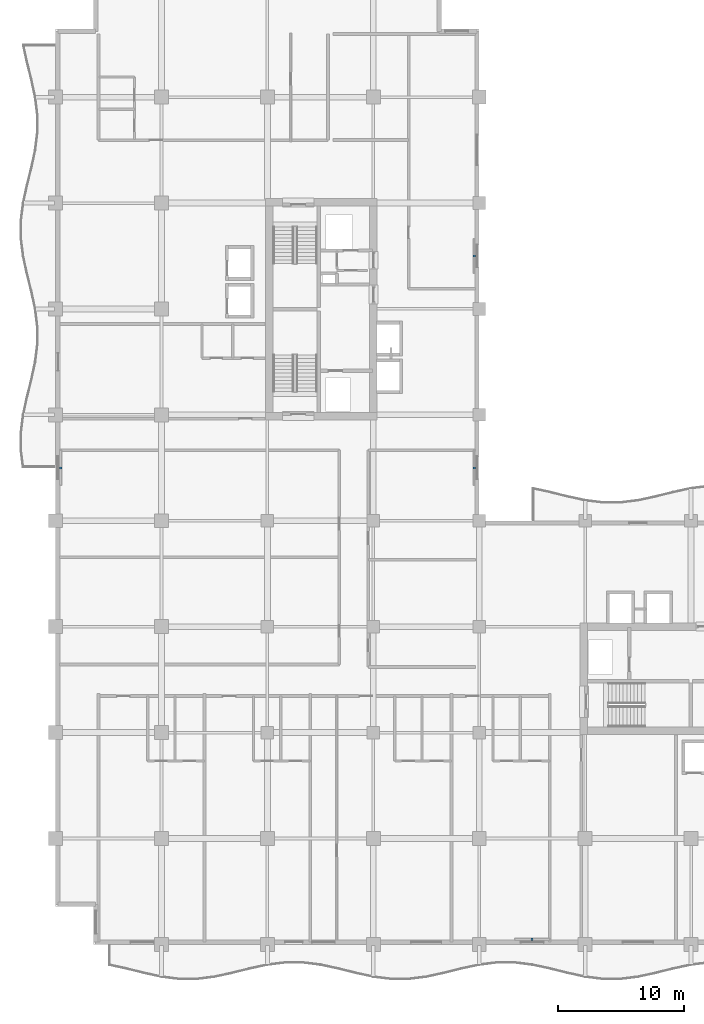
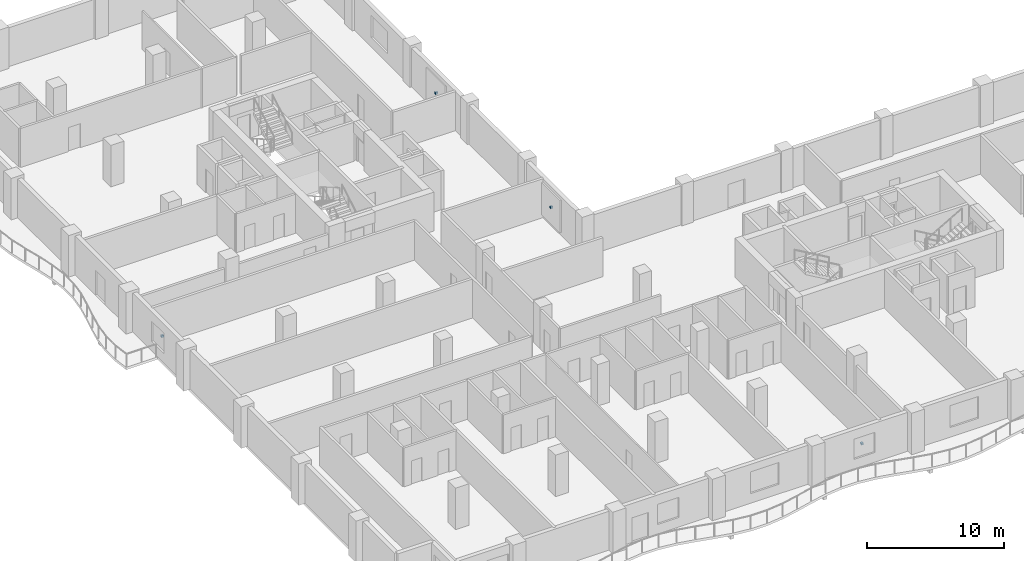
# One storey, part 10 of 14: 4 discrete accessories.
"""IFC4 building model written with IfcOpenShell, lengths in metres."""

from ifc_helpers import new_model, si_unit, direction, frame, origin, origin_2d, place, context, subcontext, project, spatial, rectangle, extrude, material, type_object, element, save


model = new_model("IFC4")

# Units and contexts
model_context = context("Model", 3, precision=1e-05, world=origin(), true_north=direction((0.0, 1.0)))
body_context = subcontext(model_context, "Body", "Model", "MODEL_VIEW")
ifc_project = project(units=[si_unit("LENGTHUNIT", "METRE"), si_unit("AREAUNIT", "SQUARE_METRE"), si_unit("VOLUMEUNIT", "CUBIC_METRE"), si_unit("PLANEANGLEUNIT", "RADIAN"), si_unit("MASSUNIT", "GRAM", prefix="KILO")], contexts=[model_context])

# Site, building, storey
site_placement = place(None, origin())
site = spatial("IfcSite", under=ifc_project, at=site_placement, CompositionType="ELEMENT")
building_placement = place(site_placement, origin())
building = spatial("IfcBuilding", under=site, at=building_placement, Name="Koriwani Terraces Tower", CompositionType="ELEMENT")
storey_placement = place(building_placement, frame((0.0, 0.0, 201.300048828125)))
storey = spatial("IfcBuildingStorey", under=building, at=storey_placement, Name="L49", CompositionType="ELEMENT", Elevation=201.300048828125)

# Discrete accessories
ifc_material = material(Name="Steel ASTM A572 Grade 50", Category="steel")
discrete_accessory_type = type_object("IfcDiscreteAccessoryType", Name="BAGUETTE_STANDOFF_BRACKET", PredefinedType="BRACKET", material=ifc_material)
for number, where, z_axis, x_axis, name in (
    (1, (0.389892578125, 37.800048828125, 1.64501953125), (0.0, 0.0, 1.0), (0.0, 1.0, 0.0), "L49 Terracotta Baguette Bracket (W-12)"),
    (2, (33.2099609375, 37.800048828125, 1.64501953125), (0.0, 0.0, 1.0), (0.0, -1.0, 0.0), "L49 Terracotta Baguette Bracket (NW_IN-2)"),
    (3, (33.2099609375, 54.60009765625, 1.64501953125), (0.0, 0.0, 1.0), (0.0, -1.0, 0.0), "L49 Terracotta Baguette Bracket (NW_IN-8)"),
    (4, (37.800048828125, 0.389892578125, 1.64501953125), (0.0, 0.0, 1.0), (-1.0, 0.0, 0.0), "L49 Terracotta Baguette Bracket (S-12)"),
):
    element("IfcDiscreteAccessory", number, at=place(storey_placement, frame(where, z_axis=z_axis, x_axis=x_axis)), inside=storey, type_object=discrete_accessory_type, Name=name, PredefinedType="BRACKET", context=body_context, shape_type="SweptSolid", body=[
        extrude(rectangle(XDim=0.159912109375, YDim=0.199951171875, at=origin_2d()), origin(), (0.0, 0.0, 1.0), 0.179931640625),
    ])

save(model, "model.ifc")
